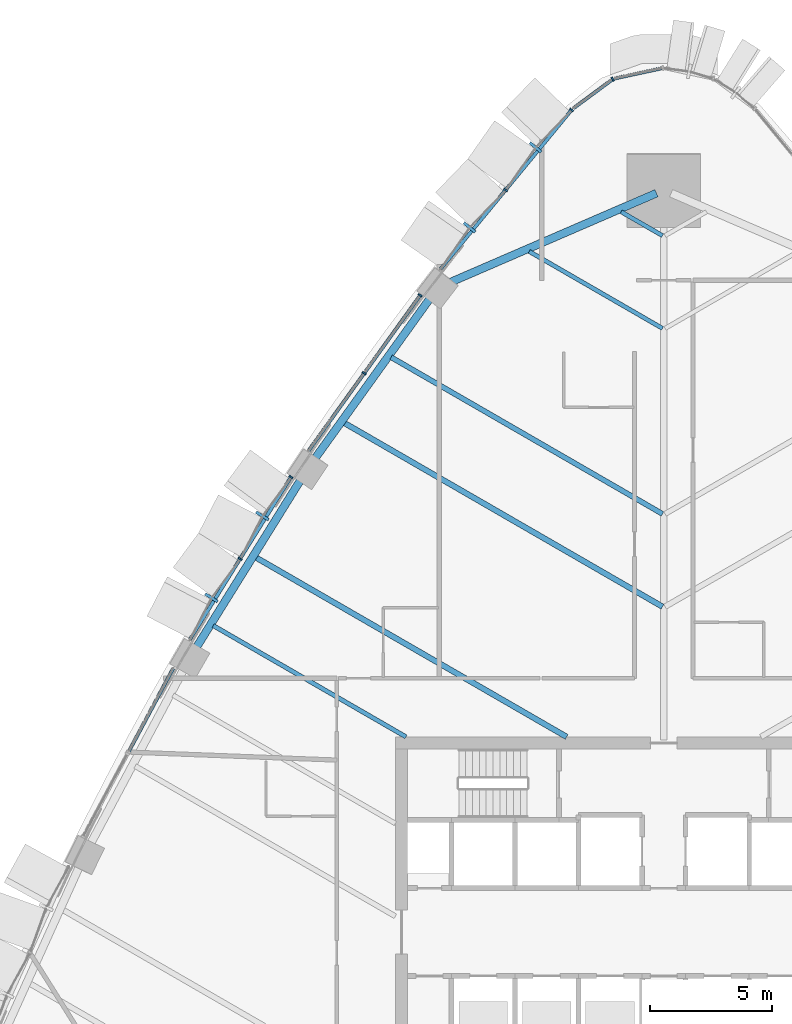
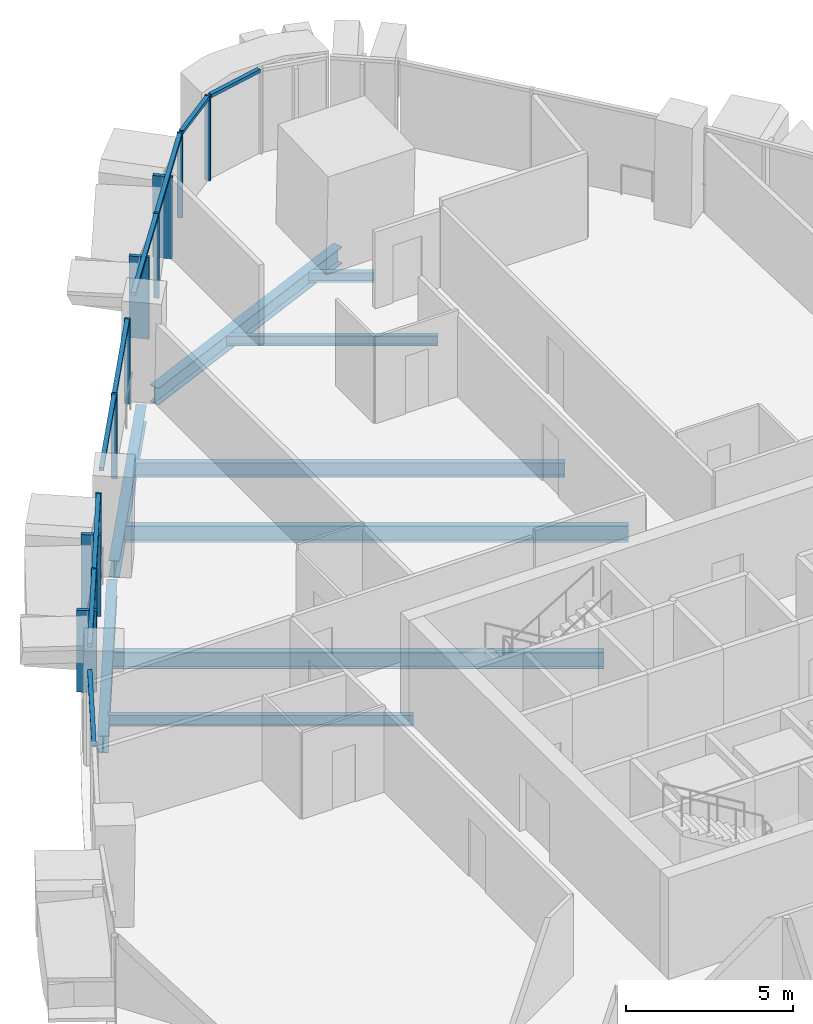
# One storey, part 6 of 19: 20 members, 9 beams, 6 elements without a shape of their own.
"""IFC4 building model written with IfcOpenShell, lengths in metres."""

from ifc_helpers import new_model, si_unit, direction, frame, origin, origin_2d, place, context, subcontext, project, spatial, rectangle, i_section, extrude, material, layer, layer_set, material_profile, profile_set, type_object, element, aggregate, save


model = new_model("IFC4")

# Units and contexts
model_context = context("Model", 3, precision=1e-05, world=origin(), true_north=direction((0.0, 1.0)))
body_context = subcontext(model_context, "Body", "Model", "MODEL_VIEW")
ifc_project = project(units=[si_unit("LENGTHUNIT", "METRE"), si_unit("AREAUNIT", "SQUARE_METRE"), si_unit("VOLUMEUNIT", "CUBIC_METRE"), si_unit("PLANEANGLEUNIT", "RADIAN"), si_unit("MASSUNIT", "GRAM", prefix="KILO")], contexts=[model_context])

# Site, building, storey
site_placement = place(None, origin())
site = spatial("IfcSite", under=ifc_project, at=site_placement, CompositionType="ELEMENT")
building_placement = place(site_placement, origin())
building = spatial("IfcBuilding", under=site, at=building_placement, Name="Sierra Prisma Convention Tower", CompositionType="ELEMENT")
storey_placement = place(building_placement, frame((0.0, 0.0, 77.60009765625)))
storey = spatial("IfcBuildingStorey", under=building, at=storey_placement, Name="L15", CompositionType="ELEMENT", Elevation=77.60009765625)

# Curtain wall, members
ifc_material_1 = material(Name="Aluminium and glass curtain wall", Category="aluminium")
ifc_layer_1 = layer(ifc_material_1, 0.179931640625)
ifc_layer_set_1 = layer_set([ifc_layer_1], Name="CW-2 Faceted crystal curtain wall")
curtain_wall_type_1 = type_object("IfcCurtainWallType", Name="CW-2 Faceted crystal curtain wall", PredefinedType="NOTDEFINED", material=ifc_layer_set_1)
curtain_wall_1_placement = place(storey_placement, origin())
curtain_wall_1 = element("IfcCurtainWall", 1, at=curtain_wall_1_placement, inside=storey, type_object=curtain_wall_type_1, Name="CW-2 NW1 L15", PredefinedType="NOTDEFINED")
ifc_material_2 = material(Name="Aluminium 6063-T6 bronze anodised", Category="aluminium")
ifc_material_profile_1 = material_profile(ifc_material_2, rectangle(XDim=0.1201171875, YDim=0.60009765625, at=origin_2d()), Name="ALU RIDGE BLADE 120x600")
ifc_profile_set_1 = profile_set([ifc_material_profile_1], Name="Aluminium 6063-T6 bronze anodised")
member_type_1 = type_object("IfcMemberType", Name="CW hip bronze", PredefinedType="MULLION", material=ifc_profile_set_1)
member_1_placement = place(storey_placement, frame((-5.2578125, 32.158447265625, 0.0), z_axis=(0.0, 0.0, 1.0), x_axis=(-0.635925807902, -0.771750197178, 0.0)))
member_1 = element("IfcMember", 2, at=member_1_placement, type_object=member_type_1, Name="CW-2 ridge NW1.1", PredefinedType="MULLION", context=body_context, shape_type="SweptSolid", body=[
    extrude(rectangle(XDim=0.1201171875, YDim=0.60009765625, at=origin_2d()), origin(), (0.0, 0.0, 1.0), 2.97998046875),
])
member_2_placement = place(storey_placement, frame((-7.96142578125, 28.877197265625, 0.0), z_axis=(0.0, 0.0, 1.0), x_axis=(-0.635925807902, -0.771750197178, 0.0)))
member_2 = element("IfcMember", 3, at=member_2_placement, type_object=member_type_1, Name="CW-2 ridge NW1.2", PredefinedType="MULLION", context=body_context, shape_type="SweptSolid", body=[
    extrude(rectangle(XDim=0.1201171875, YDim=0.60009765625, at=origin_2d()), origin(), (0.0, 0.0, 1.0), 2.97998046875),
])

curtain_wall_2_placement = place(storey_placement, origin())
curtain_wall_2 = element("IfcCurtainWall", 4, at=curtain_wall_2_placement, inside=storey, type_object=curtain_wall_type_1, Name="CW-2 NW3 L15", PredefinedType="NOTDEFINED")
member_3_placement = place(storey_placement, frame((-16.450927734375, 17.055419921875, 0.0), z_axis=(0.0, 0.0, 1.0), x_axis=(-0.528313211878, -0.849049556949, 0.0)))
member_3 = element("IfcMember", 5, at=member_3_placement, type_object=member_type_1, Name="CW-2 ridge NW3.1", PredefinedType="MULLION", context=body_context, shape_type="SweptSolid", body=[
    extrude(rectangle(XDim=0.1201171875, YDim=0.60009765625, at=origin_2d()), origin(), (0.0, 0.0, 1.0), 2.97998046875),
])
member_4_placement = place(storey_placement, frame((-18.53857421875, 13.700439453125, 0.0), z_axis=(0.0, 0.0, 1.0), x_axis=(-0.528313211878, -0.849049556949, 0.0)))
member_4 = element("IfcMember", 6, at=member_4_placement, type_object=member_type_1, Name="CW-2 ridge NW3.2", PredefinedType="MULLION", context=body_context, shape_type="SweptSolid", body=[
    extrude(rectangle(XDim=0.1201171875, YDim=0.60009765625, at=origin_2d()), origin(), (0.0, 0.0, 1.0), 2.97998046875),
])

# Curtain wall, member
ifc_material_3 = material(Name="Aluminium and glass curtain wall", Category="aluminium")
ifc_layer_2 = layer(ifc_material_3, 0.179931640625)
ifc_layer_set_2 = layer_set([ifc_layer_2], Name="CW-1 Plain shaft curtain wall")
curtain_wall_type_2 = type_object("IfcCurtainWallType", Name="CW-1 Plain shaft curtain wall", PredefinedType="NOTDEFINED", material=ifc_layer_set_2)
curtain_wall_3_placement = place(storey_placement, origin())
curtain_wall_3 = element("IfcCurtainWall", 7, at=curtain_wall_3_placement, inside=storey, type_object=curtain_wall_type_2, Name="CW-1 N4 L15", PredefinedType="NOTDEFINED")
ifc_material_4 = material(Name="Aluminium 6063-T6 bronze anodised", Category="aluminium")
ifc_material_profile_2 = material_profile(ifc_material_4, rectangle(XDim=0.179931640625, YDim=0.070068359375, at=origin_2d()), Name="ALU MULLION 70x180")
ifc_profile_set_2 = profile_set([ifc_material_profile_2], Name="Aluminium 6063-T6 bronze anodised")
member_type_2 = type_object("IfcMemberType", Name="CW mullion bronze", PredefinedType="MULLION", material=ifc_profile_set_2)
member_5_placement = place(storey_placement, frame((-2.089111328125, 34.953369140625, 0.0), z_axis=(0.0, 0.0, 1.0), x_axis=(0.594247767586, -0.804282034313, 0.0)))
member_5 = element("IfcMember", 8, at=member_5_placement, type_object=member_type_2, Name="CW-1 mullion N4.1", PredefinedType="MULLION", context=body_context, shape_type="SweptSolid", body=[
    extrude(rectangle(XDim=0.179931640625, YDim=0.070068359375, at=origin_2d()), origin(), (0.0, 0.0, 1.0), 3.099853515625),
])

# Member
member_6_placement = place(storey_placement, frame((-3.77880859375, 33.6943359375, 0.0), z_axis=(0.0, 0.0, 1.0), x_axis=(0.771750197178, -0.635925807902, 0.0)))
member_6 = element("IfcMember", 9, at=member_6_placement, type_object=member_type_2, Name="CW-1 mullion NW1.1", PredefinedType="MULLION", context=body_context, shape_type="SweptSolid", body=[
    extrude(rectangle(XDim=0.179931640625, YDim=0.070068359375, at=origin_2d()), origin(), (0.0, 0.0, 1.0), 3.099853515625),
])

member_7_placement = place(storey_placement, frame((-6.482666015625, 30.413330078125, 0.0), z_axis=(0.0, 0.0, 1.0), x_axis=(0.771750197178, -0.635925807902, 0.0)))
member_7 = element("IfcMember", 10, at=member_7_placement, type_object=member_type_2, Name="CW-1 mullion NW1.2", PredefinedType="MULLION", context=body_context, shape_type="SweptSolid", body=[
    extrude(rectangle(XDim=0.179931640625, YDim=0.070068359375, at=origin_2d()), origin(), (0.0, 0.0, 1.0), 3.099853515625),
])

# Curtain wall, members
curtain_wall_4_placement = place(storey_placement, origin())
curtain_wall_4 = element("IfcCurtainWall", 11, at=curtain_wall_4_placement, inside=storey, type_object=curtain_wall_type_2, Name="CW-1 NW2 L15", PredefinedType="NOTDEFINED")
member_8_placement = place(storey_placement, frame((-9.9833984375, 26.094482421875, 0.0), z_axis=(0.0, 0.0, 1.0), x_axis=(0.812184140723, -0.583401166916, 0.0)))
member_8 = element("IfcMember", 12, at=member_8_placement, type_object=member_type_2, Name="CW-1 mullion NW2.1", PredefinedType="MULLION", context=body_context, shape_type="SweptSolid", body=[
    extrude(rectangle(XDim=0.179931640625, YDim=0.070068359375, at=origin_2d()), origin(), (0.0, 0.0, 1.0), 3.099853515625),
])
member_9_placement = place(storey_placement, frame((-12.27734375, 22.90087890625, 0.0), z_axis=(0.0, 0.0, 1.0), x_axis=(0.812184140723, -0.583401166916, 0.0)))
member_9 = element("IfcMember", 13, at=member_9_placement, type_object=member_type_2, Name="CW-1 mullion NW2.2", PredefinedType="MULLION", context=body_context, shape_type="SweptSolid", body=[
    extrude(rectangle(XDim=0.179931640625, YDim=0.070068359375, at=origin_2d()), origin(), (0.0, 0.0, 1.0), 3.099853515625),
])

# Member
member_10_placement = place(storey_placement, frame((-15.277587890625, 18.652099609375, 0.0), z_axis=(0.0, 0.0, 1.0), x_axis=(0.849049556949, -0.528313211878, 0.0)))
member_10 = element("IfcMember", 14, at=member_10_placement, type_object=member_type_2, Name="CW-1 mullion NW3.1", PredefinedType="MULLION", context=body_context, shape_type="SweptSolid", body=[
    extrude(rectangle(XDim=0.179931640625, YDim=0.070068359375, at=origin_2d()), origin(), (0.0, 0.0, 1.0), 3.099853515625),
])

member_11_placement = place(storey_placement, frame((-17.364990234375, 15.297119140625, 0.0), z_axis=(0.0, 0.0, 1.0), x_axis=(0.849049556949, -0.528313211878, 0.0)))
member_11 = element("IfcMember", 15, at=member_11_placement, type_object=member_type_2, Name="CW-1 mullion NW3.2", PredefinedType="MULLION", context=body_context, shape_type="SweptSolid", body=[
    extrude(rectangle(XDim=0.179931640625, YDim=0.070068359375, at=origin_2d()), origin(), (0.0, 0.0, 1.0), 3.099853515625),
])

# Curtain wall, member
curtain_wall_5_placement = place(storey_placement, origin())
curtain_wall_5 = element("IfcCurtainWall", 16, at=curtain_wall_5_placement, inside=storey, type_object=curtain_wall_type_2, Name="CW-1 N3 L15", PredefinedType="NOTDEFINED")
ifc_material_5 = material(Name="Aluminium 6063-T6 bronze anodised", Category="aluminium")
ifc_material_profile_3 = material_profile(ifc_material_5, rectangle(XDim=0.139892578125, YDim=0.1201171875, at=origin_2d()), Name="ALU TRANSOM 120x140")
ifc_profile_set_3 = profile_set([ifc_material_profile_3], Name="Aluminium 6063-T6 bronze anodised")
member_type_3 = type_object("IfcMemberType", Name="CW transom bronze", PredefinedType="USERDEFINED", material=ifc_profile_set_3)
member_12_placement = place(storey_placement, frame((-0.068359375, 35.4033203125, 3.039794921875), z_axis=(-0.977598666882, -0.210477662738, 0.0), x_axis=(0.210477662738, -0.977598666882, 0.0)))
member_12 = element("IfcMember", 17, at=member_12_placement, type_object=member_type_3, Name="CW-1 transom N3.1", ObjectType="TRANSOM", PredefinedType="USERDEFINED", context=body_context, shape_type="SweptSolid", body=[
    extrude(rectangle(XDim=0.139892578125, YDim=0.1201171875, at=origin_2d()), origin(), (0.0, 0.0, 1.0), 1.968505859375),
])
aggregate(curtain_wall_5, [member_12])

# Member
member_13_placement = place(storey_placement, frame((-2.1171875, 34.9326171875, 3.039794921875), z_axis=(-0.804266355886, -0.594268986899, 0.0), x_axis=(0.594268986899, -0.804266355886, 0.0)))
member_13 = element("IfcMember", 18, at=member_13_placement, type_object=member_type_3, Name="CW-1 transom N4.1", ObjectType="TRANSOM", PredefinedType="USERDEFINED", context=body_context, shape_type="SweptSolid", body=[
    extrude(rectangle(XDim=0.139892578125, YDim=0.1201171875, at=origin_2d()), origin(), (0.0, 0.0, 1.0), 1.96826171875),
])

aggregate(curtain_wall_3, [member_5, member_13])

member_14_placement = place(storey_placement, frame((-3.801025390625, 33.66748046875, 3.039794921875), z_axis=(-0.635907780067, -0.771765051846, 0.0), x_axis=(0.771765051846, -0.635907780067, 0.0)))
member_14 = element("IfcMember", 19, at=member_14_placement, type_object=member_type_3, Name="CW-1 transom NW1.1", ObjectType="TRANSOM", PredefinedType="USERDEFINED", context=body_context, shape_type="SweptSolid", body=[
    extrude(rectangle(XDim=0.139892578125, YDim=0.1201171875, at=origin_2d()), origin(), (0.0, 0.0, 1.0), 4.181640625),
])

member_15_placement = place(storey_placement, frame((-6.5048828125, 30.38623046875, 3.039794921875), z_axis=(-0.635936433633, -0.771741441403, 0.0), x_axis=(0.771741441403, -0.635936433633, 0.0)))
member_15 = element("IfcMember", 20, at=member_15_placement, type_object=member_type_3, Name="CW-1 transom NW1.2", ObjectType="TRANSOM", PredefinedType="USERDEFINED", context=body_context, shape_type="SweptSolid", body=[
    extrude(rectangle(XDim=0.139892578125, YDim=0.1201171875, at=origin_2d()), origin(), (0.0, 0.0, 1.0), 4.181396484375),
])

aggregate(curtain_wall_1, [member_6, member_7, member_14, member_1, member_15, member_2])

member_16_placement = place(storey_placement, frame((-10.00390625, 26.06591796875, 3.039794921875), z_axis=(-0.583395028916, -0.812188549683, 0.0), x_axis=(0.812188549683, -0.583395028916, 0.0)))
member_16 = element("IfcMember", 21, at=member_16_placement, type_object=member_type_3, Name="CW-1 transom NW2.1", ObjectType="TRANSOM", PredefinedType="USERDEFINED", context=body_context, shape_type="SweptSolid", body=[
    extrude(rectangle(XDim=0.139892578125, YDim=0.1201171875, at=origin_2d()), origin(), (0.0, 0.0, 1.0), 3.86181640625),
])

member_17_placement = place(storey_placement, frame((-12.2978515625, 22.87255859375, 3.039794921875), z_axis=(-0.583365074684, -0.81221006497, 0.0), x_axis=(0.81221006497, -0.583365074684, 0.0)))
member_17 = element("IfcMember", 22, at=member_17_placement, type_object=member_type_3, Name="CW-1 transom NW2.2", ObjectType="TRANSOM", PredefinedType="USERDEFINED", context=body_context, shape_type="SweptSolid", body=[
    extrude(rectangle(XDim=0.139892578125, YDim=0.1201171875, at=origin_2d()), origin(), (0.0, 0.0, 1.0), 3.862060546875),
])

aggregate(curtain_wall_4, [member_8, member_9, member_16, member_17])

member_18_placement = place(storey_placement, frame((-15.296142578125, 18.622314453125, 3.039794921875), z_axis=(-0.528312971274, -0.849049706662, 0.0), x_axis=(0.849049706662, -0.528312971274, 0.0)))
member_18 = element("IfcMember", 23, at=member_18_placement, type_object=member_type_3, Name="CW-1 transom NW3.1", ObjectType="TRANSOM", PredefinedType="USERDEFINED", context=body_context, shape_type="SweptSolid", body=[
    extrude(rectangle(XDim=0.139892578125, YDim=0.1201171875, at=origin_2d()), origin(), (0.0, 0.0, 1.0), 3.88134765625),
])

member_19_placement = place(storey_placement, frame((-17.383544921875, 15.267333984375, 3.039794921875), z_axis=(-0.528312971274, -0.849049706662, 0.0), x_axis=(0.849049706662, -0.528312971274, 0.0)))
member_19 = element("IfcMember", 24, at=member_19_placement, type_object=member_type_3, Name="CW-1 transom NW3.2", ObjectType="TRANSOM", PredefinedType="USERDEFINED", context=body_context, shape_type="SweptSolid", body=[
    extrude(rectangle(XDim=0.139892578125, YDim=0.1201171875, at=origin_2d()), origin(), (0.0, 0.0, 1.0), 3.88134765625),
])

aggregate(curtain_wall_2, [member_10, member_11, member_18, member_3, member_19, member_4])

# Curtain wall, member
curtain_wall_6_placement = place(storey_placement, origin())
curtain_wall_6 = element("IfcCurtainWall", 25, at=curtain_wall_6_placement, inside=storey, type_object=curtain_wall_type_2, Name="CW-1 NW4 L15", PredefinedType="NOTDEFINED")
member_20_placement = place(storey_placement, frame((-20.103515625, 10.81201171875, 3.039794921875), z_axis=(-0.470945779153, -0.882162158051, 0.0), x_axis=(0.882162158051, -0.470945779153, 0.0)))
member_20 = element("IfcMember", 26, at=member_20_placement, type_object=member_type_3, Name="CW-1 transom NW4.1", ObjectType="TRANSOM", PredefinedType="USERDEFINED", context=body_context, shape_type="SweptSolid", body=[
    extrude(rectangle(XDim=0.139892578125, YDim=0.1201171875, at=origin_2d()), origin(), (0.0, 0.0, 1.0), 3.862548828125),
])
aggregate(curtain_wall_6, [member_20])

# Beams
ifc_material_6 = material(Name="Steel ASTM A992 Gr 50", Category="steel")
ifc_material_profile_4 = material_profile(ifc_material_6, i_section(OverallWidth=0.172119140625, OverallDepth=0.35791015625, WebThickness=0.0078125, FlangeThickness=0.01318359375, at=origin_2d()), Name="W360x57")
ifc_profile_set_4 = profile_set([ifc_material_profile_4], Name="Steel ASTM A992 Gr 50")
beam_type_1 = type_object("IfcBeamType", Name="Floor joist W360x57", PredefinedType="JOIST", material=ifc_profile_set_4)
beam_1_placement = place(storey_placement, frame((-1.750244140625, 29.520751953125, -0.3291015625), z_axis=(0.866011328839, -0.500024377727, 0.0), x_axis=(0.500024377727, 0.866011328839, 0.0)))
element("IfcBeam", 27, at=beam_1_placement, inside=storey, type_object=beam_type_1, Name="Floor joist L15 NW01", PredefinedType="JOIST", context=body_context, shape_type="SweptSolid", body=[
    extrude(i_section(OverallWidth=0.172119140625, OverallDepth=0.35791015625, WebThickness=0.0078125, FlangeThickness=0.01318359375, at=origin_2d()), origin(), (0.0, 0.0, 1.0), 1.9599609375),
])
beam_2_placement = place(storey_placement, frame((-5.514892578125, 27.89306640625, -0.3291015625), z_axis=(0.866016691215, -0.50001509031, 0.0), x_axis=(0.50001509031, 0.866016691215, 0.0)))
element("IfcBeam", 28, at=beam_2_placement, inside=storey, type_object=beam_type_1, Name="Floor joist L15 NW02", PredefinedType="JOIST", context=body_context, shape_type="SweptSolid", body=[
    extrude(i_section(OverallWidth=0.172119140625, OverallDepth=0.35791015625, WebThickness=0.0078125, FlangeThickness=0.01318359375, at=origin_2d()), origin(), (0.0, 0.0, 1.0), 6.306884765625),
])
ifc_material_7 = material(Name="Steel ASTM A992 Gr 50", Category="steel")
ifc_material_profile_5 = material_profile(ifc_material_7, i_section(OverallWidth=0.177978515625, OverallDepth=0.406982421875, WebThickness=0.0078125, FlangeThickness=0.0126953125, at=origin_2d()), Name="W410x60")
ifc_profile_set_5 = profile_set([ifc_material_profile_5], Name="Steel ASTM A992 Gr 50")
beam_type_2 = type_object("IfcBeamType", Name="Floor joist W410x60", PredefinedType="JOIST", material=ifc_profile_set_5)
beam_3_placement = place(storey_placement, frame((-18.464599609375, 12.561279296875, -0.353515625), z_axis=(0.866026037796, -0.499998901858, 0.0), x_axis=(0.499998901858, 0.866026037796, 0.0)))
element("IfcBeam", 29, at=beam_3_placement, inside=storey, type_object=beam_type_2, Name="Floor joist L15 NW08", PredefinedType="JOIST", context=body_context, shape_type="SweptSolid", body=[
    extrude(i_section(OverallWidth=0.177978515625, OverallDepth=0.406982421875, WebThickness=0.0078125, FlangeThickness=0.0126953125, at=origin_2d()), origin(), (0.0, 0.0, 1.0), 9.12255859375),
])
ifc_material_8 = material(Name="Steel ASTM A992 Gr 50", Category="steel")
ifc_material_profile_6 = material_profile(ifc_material_8, i_section(OverallWidth=0.208984375, OverallDepth=0.532958984375, WebThickness=0.01025390625, FlangeThickness=0.015625, at=origin_2d()), Name="W530x92")
ifc_profile_set_6 = profile_set([ifc_material_profile_6], Name="Steel ASTM A992 Gr 50")
beam_type_3 = type_object("IfcBeamType", Name="Floor joist W530x92", PredefinedType="JOIST", material=ifc_profile_set_6)
beam_4_placement = place(storey_placement, frame((-11.174560546875, 23.557861328125, -0.41650390625), z_axis=(0.86602222757, -0.500005501324, 0.0), x_axis=(0.500005501324, 0.86602222757, 0.0)))
element("IfcBeam", 30, at=beam_4_placement, inside=storey, type_object=beam_type_3, Name="Floor joist L15 NW04", PredefinedType="JOIST", context=body_context, shape_type="SweptSolid", body=[
    extrude(i_section(OverallWidth=0.208984375, OverallDepth=0.532958984375, WebThickness=0.01025390625, FlangeThickness=0.015625, at=origin_2d()), origin(), (0.0, 0.0, 1.0), 12.842041015625),
])
ifc_material_9 = material(Name="Steel ASTM A992 Gr 50", Category="steel")
ifc_material_profile_7 = material_profile(ifc_material_9, i_section(OverallWidth=0.22802734375, OverallDepth=0.60302734375, WebThickness=0.010498046875, FlangeThickness=0.014892578125, at=origin_2d()), Name="W610x101")
ifc_profile_set_7 = profile_set([ifc_material_profile_7], Name="Steel ASTM A992 Gr 50")
beam_type_4 = type_object("IfcBeamType", Name="Floor joist W610x101", PredefinedType="JOIST", material=ifc_profile_set_7)
beam_5_placement = place(storey_placement, frame((-13.104736328125, 20.870849609375, -0.45166015625), z_axis=(0.866026423641, -0.499998233552, 0.0), x_axis=(0.499998233552, 0.866026423641, 0.0)))
element("IfcBeam", 31, at=beam_5_placement, inside=storey, type_object=beam_type_4, Name="Floor joist L15 NW05", PredefinedType="JOIST", context=body_context, shape_type="SweptSolid", body=[
    extrude(i_section(OverallWidth=0.22802734375, OverallDepth=0.60302734375, WebThickness=0.010498046875, FlangeThickness=0.014892578125, at=origin_2d()), origin(), (0.0, 0.0, 1.0), 15.07080078125),
])
beam_6_placement = place(storey_placement, frame((-16.72412109375, 15.357666015625, -0.45166015625), z_axis=(0.866026170332, -0.499998672298, 0.0), x_axis=(0.499998672298, 0.866026170332, 0.0)))
element("IfcBeam", 32, at=beam_6_placement, inside=storey, type_object=beam_type_4, Name="Floor joist L15 NW07", PredefinedType="JOIST", context=body_context, shape_type="SweptSolid", body=[
    extrude(i_section(OverallWidth=0.22802734375, OverallDepth=0.60302734375, WebThickness=0.010498046875, FlangeThickness=0.014892578125, at=origin_2d()), origin(), (0.0, 0.0, 1.0), 14.71533203125),
])
ifc_material_10 = material(Name="Steel ASTM A992 Gr 50", Category="steel")
ifc_material_profile_8 = material_profile(ifc_material_10, i_section(OverallWidth=0.324951171875, OverallDepth=0.615966796875, WebThickness=0.013916015625, FlangeThickness=0.021484375, at=origin_2d()), Name="W610x174")
ifc_profile_set_8 = profile_set([ifc_material_profile_8], Name="Steel ASTM A992 Gr 50")
beam_type_5 = type_object("IfcBeamType", Name="Spandrel beam W610x174", PredefinedType="BEAM", material=ifc_profile_set_8)
beam_7_placement = place(storey_placement, frame((-0.300048828125, 30.28125, -0.4580078125), z_axis=(-0.917871397181, -0.396877938712, 0.0), x_axis=(0.396877938712, -0.917871397181, 0.0)))
element("IfcBeam", 33, at=beam_7_placement, inside=storey, type_object=beam_type_5, Name="Spandrel L15-13", PredefinedType="BEAM", context=body_context, shape_type="SweptSolid", body=[
    extrude(i_section(OverallWidth=0.324951171875, OverallDepth=0.615966796875, WebThickness=0.013916015625, FlangeThickness=0.021484375, at=origin_2d()), origin(), (0.0, 0.0, 1.0), 9.205810546875),
])
for number, where, z_axis, x_axis, name in (
    (34, (-9.549560546875, 26.0126953125, -0.4580078125), (-0.583474906275, -0.812131167822, 0.0), (0.812131167822, -0.583474906275, 0.0), "Spandrel L15-14"),
    (35, (-14.856201171875, 18.57177734375, -0.4580078125), (-0.528407074245, -0.848991144764, 0.0), (0.848991144764, -0.528407074245, 0.0), "Spandrel L15-15"),
):
    element("IfcBeam", number, at=place(storey_placement, frame(where, z_axis=z_axis, x_axis=x_axis)), inside=storey, type_object=beam_type_5, Name=name, PredefinedType="BEAM", context=body_context, shape_type="SweptSolid", body=[
        extrude(i_section(OverallWidth=0.324951171875, OverallDepth=0.615966796875, WebThickness=0.013916015625, FlangeThickness=0.021484375, at=origin_2d()), origin(), (0.0, 0.0, 1.0), 8.1796875),
    ])

save(model, "model.ifc")
